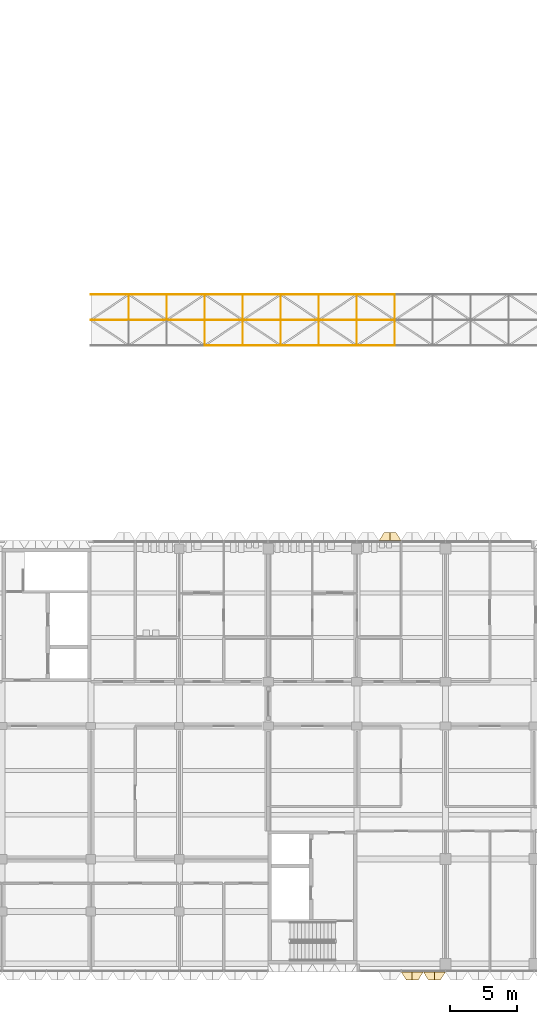
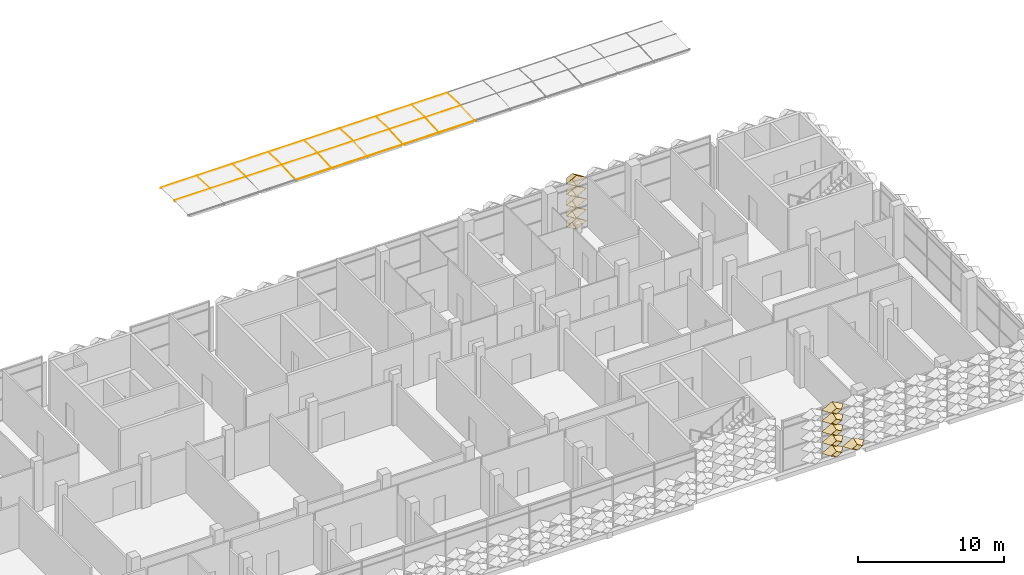
# One storey, part 48 of 61: 46 coverings.
"""IFC4 building model written with IfcOpenShell, lengths in metres."""

from ifc_helpers import new_model, entity, si_unit, direction, frame, origin, origin_2d, place, context, subcontext, project, spatial, rectangle, extrude, material, layer, layer_set, material_profile, profile_set, type_object, element, save


model = new_model("IFC4")

# Units and contexts
model_context = context("Model", 3, precision=1e-05, world=origin(), true_north=direction((0.0, 1.0)))
body_context = subcontext(model_context, "Body", "Model", "MODEL_VIEW")
ifc_project = project(units=[si_unit("LENGTHUNIT", "METRE"), si_unit("AREAUNIT", "SQUARE_METRE"), si_unit("VOLUMEUNIT", "CUBIC_METRE"), si_unit("PLANEANGLEUNIT", "RADIAN"), si_unit("MASSUNIT", "GRAM", prefix="KILO")], contexts=[model_context])

# Site, building, storey
site_placement = place(None, origin())
site = spatial("IfcSite", under=ifc_project, at=site_placement, CompositionType="ELEMENT")
building_placement = place(site_placement, origin())
building = spatial("IfcBuilding", under=site, at=building_placement, Name="Lantern Court Research Institute", CompositionType="ELEMENT")
storey_placement = place(building_placement, frame((0.0, 0.0, 23.39990234375)))
storey = spatial("IfcBuildingStorey", under=building, at=storey_placement, Name="L05", CompositionType="ELEMENT", Elevation=23.39990234375)

# Coverings
ifc_material_1 = material(Name="Anodised aluminium", Category="aluminium")
ifc_layer = layer(ifc_material_1, 0.01611328125)
ifc_layer_set = layer_set([ifc_layer], Name="Anodised aluminium")
covering_type_1 = type_object("IfcCoveringType", Name="Fin cassette 1650 x 900 x 600 aluminium", PredefinedType="CLADDING", material=ifc_layer_set)
covering_1_placement = place(storey_placement, frame((61.875, 23.699951171875, 0.4501953125), z_axis=(0.0, 1.0, 0.0), x_axis=(-1.0, 0.0, 0.0)))
cartesian_point_1 = entity("IfcCartesianPoint", [0.824951171875, 0.0])
cartesian_point_2 = entity("IfcCartesianPoint", [0.79150390625, 0.0])
cartesian_point_3 = entity("IfcCartesianPoint", [0.44189453125, 0.0])
cartesian_point_4 = entity("IfcCartesianPoint", [0.43359375, 0.0])
element("IfcCovering", 1, at=covering_1_placement, inside=storey, type_object=covering_type_1, Name="Fin cassette V5N-L05 1.38", PredefinedType="CLADDING", context=body_context, shape_type="SweptSolid", body=[
    entity("IfcExtrudedAreaSolidTapered", entity("IfcArbitraryProfileDefWithVoids", "AREA", None, entity("IfcPolyline", [cartesian_point_1, entity("IfcCartesianPoint", [0.0, 0.449951171875]), entity("IfcCartesianPoint", [-0.824951171875, 0.0]), entity("IfcCartesianPoint", [0.0, -0.449951171875]), cartesian_point_1]), [entity("IfcPolyline", [cartesian_point_2, entity("IfcCartesianPoint", [0.0, 0.431884765625]), entity("IfcCartesianPoint", [-0.79150390625, 0.0]), entity("IfcCartesianPoint", [0.0, -0.431884765625]), cartesian_point_2])]), entity("IfcAxis2Placement3D", entity("IfcCartesianPoint", [0.0, 0.0, 0.0])), entity("IfcDirection", [0.0, 0.0, 1.0]), 0.60009765625, entity("IfcArbitraryProfileDefWithVoids", "AREA", None, entity("IfcPolyline", [cartesian_point_3, entity("IfcCartesianPoint", [0.0, 0.240966796875]), entity("IfcCartesianPoint", [-0.44189453125, 0.0]), entity("IfcCartesianPoint", [0.0, -0.240966796875]), cartesian_point_3]), [entity("IfcPolyline", [cartesian_point_4, entity("IfcCartesianPoint", [0.0, 0.236572265625]), entity("IfcCartesianPoint", [-0.43359375, 0.0]), entity("IfcCartesianPoint", [0.0, -0.236572265625]), cartesian_point_4])])),
])
covering_2_placement = place(storey_placement, frame((61.875, 23.699951171875, 1.35009765625), z_axis=(0.0, 1.0, 0.0), x_axis=(-1.0, 0.0, 0.0)))
cartesian_point_5 = entity("IfcCartesianPoint", [0.824951171875, 0.0])
cartesian_point_6 = entity("IfcCartesianPoint", [0.79150390625, 0.0])
cartesian_point_7 = entity("IfcCartesianPoint", [0.44189453125, 0.0])
cartesian_point_8 = entity("IfcCartesianPoint", [0.43359375, 0.0])
element("IfcCovering", 2, at=covering_2_placement, inside=storey, type_object=covering_type_1, Name="Fin cassette V5N-L05 2.38", PredefinedType="CLADDING", context=body_context, shape_type="SweptSolid", body=[
    entity("IfcExtrudedAreaSolidTapered", entity("IfcArbitraryProfileDefWithVoids", "AREA", None, entity("IfcPolyline", [cartesian_point_5, entity("IfcCartesianPoint", [0.0, 0.449951171875]), entity("IfcCartesianPoint", [-0.824951171875, 0.0]), entity("IfcCartesianPoint", [0.0, -0.449951171875]), cartesian_point_5]), [entity("IfcPolyline", [cartesian_point_6, entity("IfcCartesianPoint", [0.0, 0.431884765625]), entity("IfcCartesianPoint", [-0.79150390625, 0.0]), entity("IfcCartesianPoint", [0.0, -0.431884765625]), cartesian_point_6])]), entity("IfcAxis2Placement3D", entity("IfcCartesianPoint", [0.0, 0.0, 0.0])), entity("IfcDirection", [0.0, 0.0, 1.0]), 0.60009765625, entity("IfcArbitraryProfileDefWithVoids", "AREA", None, entity("IfcPolyline", [cartesian_point_7, entity("IfcCartesianPoint", [0.0, 0.240966796875]), entity("IfcCartesianPoint", [-0.44189453125, 0.0]), entity("IfcCartesianPoint", [0.0, -0.240966796875]), cartesian_point_7]), [entity("IfcPolyline", [cartesian_point_8, entity("IfcCartesianPoint", [0.0, 0.236572265625]), entity("IfcCartesianPoint", [-0.43359375, 0.0]), entity("IfcCartesianPoint", [0.0, -0.236572265625]), cartesian_point_8])])),
])
covering_3_placement = place(storey_placement, frame((61.875, 23.699951171875, 2.25), z_axis=(0.0, 1.0, 0.0), x_axis=(-1.0, 0.0, 0.0)))
cartesian_point_9 = entity("IfcCartesianPoint", [0.824951171875, 0.0])
cartesian_point_10 = entity("IfcCartesianPoint", [0.79150390625, 0.0])
cartesian_point_11 = entity("IfcCartesianPoint", [0.44189453125, 0.0])
cartesian_point_12 = entity("IfcCartesianPoint", [0.43359375, 0.0])
element("IfcCovering", 3, at=covering_3_placement, inside=storey, type_object=covering_type_1, Name="Fin cassette V5N-L05 3.38", PredefinedType="CLADDING", context=body_context, shape_type="SweptSolid", body=[
    entity("IfcExtrudedAreaSolidTapered", entity("IfcArbitraryProfileDefWithVoids", "AREA", None, entity("IfcPolyline", [cartesian_point_9, entity("IfcCartesianPoint", [0.0, 0.449951171875]), entity("IfcCartesianPoint", [-0.824951171875, 0.0]), entity("IfcCartesianPoint", [0.0, -0.449951171875]), cartesian_point_9]), [entity("IfcPolyline", [cartesian_point_10, entity("IfcCartesianPoint", [0.0, 0.431884765625]), entity("IfcCartesianPoint", [-0.79150390625, 0.0]), entity("IfcCartesianPoint", [0.0, -0.431884765625]), cartesian_point_10])]), entity("IfcAxis2Placement3D", entity("IfcCartesianPoint", [0.0, 0.0, 0.0])), entity("IfcDirection", [0.0, 0.0, 1.0]), 0.60009765625, entity("IfcArbitraryProfileDefWithVoids", "AREA", None, entity("IfcPolyline", [cartesian_point_11, entity("IfcCartesianPoint", [0.0, 0.240966796875]), entity("IfcCartesianPoint", [-0.44189453125, 0.0]), entity("IfcCartesianPoint", [0.0, -0.240966796875]), cartesian_point_11]), [entity("IfcPolyline", [cartesian_point_12, entity("IfcCartesianPoint", [0.0, 0.236572265625]), entity("IfcCartesianPoint", [-0.43359375, 0.0]), entity("IfcCartesianPoint", [0.0, -0.236572265625]), cartesian_point_12])])),
])
covering_4_placement = place(storey_placement, frame((61.875, 23.699951171875, 3.150146484375), z_axis=(0.0, 1.0, 0.0), x_axis=(-1.0, 0.0, 0.0)))
cartesian_point_13 = entity("IfcCartesianPoint", [0.824951171875, 0.0])
cartesian_point_14 = entity("IfcCartesianPoint", [0.79150390625, 0.0])
cartesian_point_15 = entity("IfcCartesianPoint", [0.44189453125, 0.0])
cartesian_point_16 = entity("IfcCartesianPoint", [0.43359375, 0.0])
element("IfcCovering", 4, at=covering_4_placement, inside=storey, type_object=covering_type_1, Name="Fin cassette V5N-L05 4.38", PredefinedType="CLADDING", context=body_context, shape_type="SweptSolid", body=[
    entity("IfcExtrudedAreaSolidTapered", entity("IfcArbitraryProfileDefWithVoids", "AREA", None, entity("IfcPolyline", [cartesian_point_13, entity("IfcCartesianPoint", [0.0, 0.449951171875]), entity("IfcCartesianPoint", [-0.824951171875, 0.0]), entity("IfcCartesianPoint", [0.0, -0.449951171875]), cartesian_point_13]), [entity("IfcPolyline", [cartesian_point_14, entity("IfcCartesianPoint", [0.0, 0.431884765625]), entity("IfcCartesianPoint", [-0.79150390625, 0.0]), entity("IfcCartesianPoint", [0.0, -0.431884765625]), cartesian_point_14])]), entity("IfcAxis2Placement3D", entity("IfcCartesianPoint", [0.0, 0.0, 0.0])), entity("IfcDirection", [0.0, 0.0, 1.0]), 0.60009765625, entity("IfcArbitraryProfileDefWithVoids", "AREA", None, entity("IfcPolyline", [cartesian_point_15, entity("IfcCartesianPoint", [0.0, 0.240966796875]), entity("IfcCartesianPoint", [-0.44189453125, 0.0]), entity("IfcCartesianPoint", [0.0, -0.240966796875]), cartesian_point_15]), [entity("IfcPolyline", [cartesian_point_16, entity("IfcCartesianPoint", [0.0, 0.236572265625]), entity("IfcCartesianPoint", [-0.43359375, 0.0]), entity("IfcCartesianPoint", [0.0, -0.236572265625]), cartesian_point_16])])),
])
covering_5_placement = place(storey_placement, frame((61.875, 23.699951171875, 4.050048828125), z_axis=(0.0, 1.0, 0.0), x_axis=(-1.0, 0.0, 0.0)))
cartesian_point_17 = entity("IfcCartesianPoint", [0.824951171875, 0.0])
cartesian_point_18 = entity("IfcCartesianPoint", [0.79150390625, 0.0])
cartesian_point_19 = entity("IfcCartesianPoint", [0.44189453125, 0.0])
cartesian_point_20 = entity("IfcCartesianPoint", [0.43359375, 0.0])
element("IfcCovering", 5, at=covering_5_placement, inside=storey, type_object=covering_type_1, Name="Fin cassette V5N-L05 5.38", PredefinedType="CLADDING", context=body_context, shape_type="SweptSolid", body=[
    entity("IfcExtrudedAreaSolidTapered", entity("IfcArbitraryProfileDefWithVoids", "AREA", None, entity("IfcPolyline", [cartesian_point_17, entity("IfcCartesianPoint", [0.0, 0.449951171875]), entity("IfcCartesianPoint", [-0.824951171875, 0.0]), entity("IfcCartesianPoint", [0.0, -0.449951171875]), cartesian_point_17]), [entity("IfcPolyline", [cartesian_point_18, entity("IfcCartesianPoint", [0.0, 0.431884765625]), entity("IfcCartesianPoint", [-0.79150390625, 0.0]), entity("IfcCartesianPoint", [0.0, -0.431884765625]), cartesian_point_18])]), entity("IfcAxis2Placement3D", entity("IfcCartesianPoint", [0.0, 0.0, 0.0])), entity("IfcDirection", [0.0, 0.0, 1.0]), 0.60009765625, entity("IfcArbitraryProfileDefWithVoids", "AREA", None, entity("IfcPolyline", [cartesian_point_19, entity("IfcCartesianPoint", [0.0, 0.240966796875]), entity("IfcCartesianPoint", [-0.44189453125, 0.0]), entity("IfcCartesianPoint", [0.0, -0.240966796875]), cartesian_point_19]), [entity("IfcPolyline", [cartesian_point_20, entity("IfcCartesianPoint", [0.0, 0.236572265625]), entity("IfcCartesianPoint", [-0.43359375, 0.0]), entity("IfcCartesianPoint", [0.0, -0.236572265625]), cartesian_point_20])])),
])
covering_6_placement = place(storey_placement, frame((63.52490234375, -8.39990234375, 0.4501953125), z_axis=(0.0, -1.0, 0.0), x_axis=(1.0, 0.0, 0.0)))
cartesian_point_21 = entity("IfcCartesianPoint", [0.824951171875, 0.0])
cartesian_point_22 = entity("IfcCartesianPoint", [0.79150390625, 0.0])
cartesian_point_23 = entity("IfcCartesianPoint", [0.44189453125, 0.0])
cartesian_point_24 = entity("IfcCartesianPoint", [0.43359375, 0.0])
element("IfcCovering", 6, at=covering_6_placement, inside=storey, type_object=covering_type_1, Name="Fin cassette V5S-L05 1.39", PredefinedType="CLADDING", context=body_context, shape_type="SweptSolid", body=[
    entity("IfcExtrudedAreaSolidTapered", entity("IfcArbitraryProfileDefWithVoids", "AREA", None, entity("IfcPolyline", [cartesian_point_21, entity("IfcCartesianPoint", [0.0, 0.449951171875]), entity("IfcCartesianPoint", [-0.824951171875, 0.0]), entity("IfcCartesianPoint", [0.0, -0.449951171875]), cartesian_point_21]), [entity("IfcPolyline", [cartesian_point_22, entity("IfcCartesianPoint", [0.0, 0.431884765625]), entity("IfcCartesianPoint", [-0.79150390625, 0.0]), entity("IfcCartesianPoint", [0.0, -0.431884765625]), cartesian_point_22])]), entity("IfcAxis2Placement3D", entity("IfcCartesianPoint", [0.0, 0.0, 0.0])), entity("IfcDirection", [0.0, 0.0, 1.0]), 0.60009765625, entity("IfcArbitraryProfileDefWithVoids", "AREA", None, entity("IfcPolyline", [cartesian_point_23, entity("IfcCartesianPoint", [0.0, 0.240966796875]), entity("IfcCartesianPoint", [-0.44189453125, 0.0]), entity("IfcCartesianPoint", [0.0, -0.240966796875]), cartesian_point_23]), [entity("IfcPolyline", [cartesian_point_24, entity("IfcCartesianPoint", [0.0, 0.236572265625]), entity("IfcCartesianPoint", [-0.43359375, 0.0]), entity("IfcCartesianPoint", [0.0, -0.236572265625]), cartesian_point_24])])),
])
covering_7_placement = place(storey_placement, frame((65.175048828125, -8.39990234375, 0.4501953125), z_axis=(0.0, -1.0, 0.0), x_axis=(1.0, 0.0, 0.0)))
cartesian_point_25 = entity("IfcCartesianPoint", [0.824951171875, 0.0])
cartesian_point_26 = entity("IfcCartesianPoint", [0.79150390625, 0.0])
cartesian_point_27 = entity("IfcCartesianPoint", [0.44189453125, 0.0])
cartesian_point_28 = entity("IfcCartesianPoint", [0.43359375, 0.0])
element("IfcCovering", 7, at=covering_7_placement, inside=storey, type_object=covering_type_1, Name="Fin cassette V5S-L05 1.40", PredefinedType="CLADDING", context=body_context, shape_type="SweptSolid", body=[
    entity("IfcExtrudedAreaSolidTapered", entity("IfcArbitraryProfileDefWithVoids", "AREA", None, entity("IfcPolyline", [cartesian_point_25, entity("IfcCartesianPoint", [0.0, 0.449951171875]), entity("IfcCartesianPoint", [-0.824951171875, 0.0]), entity("IfcCartesianPoint", [0.0, -0.449951171875]), cartesian_point_25]), [entity("IfcPolyline", [cartesian_point_26, entity("IfcCartesianPoint", [0.0, 0.431884765625]), entity("IfcCartesianPoint", [-0.79150390625, 0.0]), entity("IfcCartesianPoint", [0.0, -0.431884765625]), cartesian_point_26])]), entity("IfcAxis2Placement3D", entity("IfcCartesianPoint", [0.0, 0.0, 0.0])), entity("IfcDirection", [0.0, 0.0, 1.0]), 0.60009765625, entity("IfcArbitraryProfileDefWithVoids", "AREA", None, entity("IfcPolyline", [cartesian_point_27, entity("IfcCartesianPoint", [0.0, 0.240966796875]), entity("IfcCartesianPoint", [-0.44189453125, 0.0]), entity("IfcCartesianPoint", [0.0, -0.240966796875]), cartesian_point_27]), [entity("IfcPolyline", [cartesian_point_28, entity("IfcCartesianPoint", [0.0, 0.236572265625]), entity("IfcCartesianPoint", [-0.43359375, 0.0]), entity("IfcCartesianPoint", [0.0, -0.236572265625]), cartesian_point_28])])),
])
covering_8_placement = place(storey_placement, frame((63.52490234375, -8.39990234375, 1.35009765625), z_axis=(0.0, -1.0, 0.0), x_axis=(1.0, 0.0, 0.0)))
cartesian_point_29 = entity("IfcCartesianPoint", [0.824951171875, 0.0])
cartesian_point_30 = entity("IfcCartesianPoint", [0.79150390625, 0.0])
cartesian_point_31 = entity("IfcCartesianPoint", [0.44189453125, 0.0])
cartesian_point_32 = entity("IfcCartesianPoint", [0.43359375, 0.0])
element("IfcCovering", 8, at=covering_8_placement, inside=storey, type_object=covering_type_1, Name="Fin cassette V5S-L05 2.39", PredefinedType="CLADDING", context=body_context, shape_type="SweptSolid", body=[
    entity("IfcExtrudedAreaSolidTapered", entity("IfcArbitraryProfileDefWithVoids", "AREA", None, entity("IfcPolyline", [cartesian_point_29, entity("IfcCartesianPoint", [0.0, 0.449951171875]), entity("IfcCartesianPoint", [-0.824951171875, 0.0]), entity("IfcCartesianPoint", [0.0, -0.449951171875]), cartesian_point_29]), [entity("IfcPolyline", [cartesian_point_30, entity("IfcCartesianPoint", [0.0, 0.431884765625]), entity("IfcCartesianPoint", [-0.79150390625, 0.0]), entity("IfcCartesianPoint", [0.0, -0.431884765625]), cartesian_point_30])]), entity("IfcAxis2Placement3D", entity("IfcCartesianPoint", [0.0, 0.0, 0.0])), entity("IfcDirection", [0.0, 0.0, 1.0]), 0.60009765625, entity("IfcArbitraryProfileDefWithVoids", "AREA", None, entity("IfcPolyline", [cartesian_point_31, entity("IfcCartesianPoint", [0.0, 0.240966796875]), entity("IfcCartesianPoint", [-0.44189453125, 0.0]), entity("IfcCartesianPoint", [0.0, -0.240966796875]), cartesian_point_31]), [entity("IfcPolyline", [cartesian_point_32, entity("IfcCartesianPoint", [0.0, 0.236572265625]), entity("IfcCartesianPoint", [-0.43359375, 0.0]), entity("IfcCartesianPoint", [0.0, -0.236572265625]), cartesian_point_32])])),
])
covering_9_placement = place(storey_placement, frame((63.52490234375, -8.39990234375, 2.25), z_axis=(0.0, -1.0, 0.0), x_axis=(1.0, 0.0, 0.0)))
cartesian_point_33 = entity("IfcCartesianPoint", [0.824951171875, 0.0])
cartesian_point_34 = entity("IfcCartesianPoint", [0.79150390625, 0.0])
cartesian_point_35 = entity("IfcCartesianPoint", [0.44189453125, 0.0])
cartesian_point_36 = entity("IfcCartesianPoint", [0.43359375, 0.0])
element("IfcCovering", 9, at=covering_9_placement, inside=storey, type_object=covering_type_1, Name="Fin cassette V5S-L05 3.39", PredefinedType="CLADDING", context=body_context, shape_type="SweptSolid", body=[
    entity("IfcExtrudedAreaSolidTapered", entity("IfcArbitraryProfileDefWithVoids", "AREA", None, entity("IfcPolyline", [cartesian_point_33, entity("IfcCartesianPoint", [0.0, 0.449951171875]), entity("IfcCartesianPoint", [-0.824951171875, 0.0]), entity("IfcCartesianPoint", [0.0, -0.449951171875]), cartesian_point_33]), [entity("IfcPolyline", [cartesian_point_34, entity("IfcCartesianPoint", [0.0, 0.431884765625]), entity("IfcCartesianPoint", [-0.79150390625, 0.0]), entity("IfcCartesianPoint", [0.0, -0.431884765625]), cartesian_point_34])]), entity("IfcAxis2Placement3D", entity("IfcCartesianPoint", [0.0, 0.0, 0.0])), entity("IfcDirection", [0.0, 0.0, 1.0]), 0.60009765625, entity("IfcArbitraryProfileDefWithVoids", "AREA", None, entity("IfcPolyline", [cartesian_point_35, entity("IfcCartesianPoint", [0.0, 0.240966796875]), entity("IfcCartesianPoint", [-0.44189453125, 0.0]), entity("IfcCartesianPoint", [0.0, -0.240966796875]), cartesian_point_35]), [entity("IfcPolyline", [cartesian_point_36, entity("IfcCartesianPoint", [0.0, 0.236572265625]), entity("IfcCartesianPoint", [-0.43359375, 0.0]), entity("IfcCartesianPoint", [0.0, -0.236572265625]), cartesian_point_36])])),
])
covering_10_placement = place(storey_placement, frame((63.52490234375, -8.39990234375, 3.150146484375), z_axis=(0.0, -1.0, 0.0), x_axis=(1.0, 0.0, 0.0)))
cartesian_point_37 = entity("IfcCartesianPoint", [0.824951171875, 0.0])
cartesian_point_38 = entity("IfcCartesianPoint", [0.79150390625, 0.0])
cartesian_point_39 = entity("IfcCartesianPoint", [0.44189453125, 0.0])
cartesian_point_40 = entity("IfcCartesianPoint", [0.43359375, 0.0])
element("IfcCovering", 10, at=covering_10_placement, inside=storey, type_object=covering_type_1, Name="Fin cassette V5S-L05 4.39", PredefinedType="CLADDING", context=body_context, shape_type="SweptSolid", body=[
    entity("IfcExtrudedAreaSolidTapered", entity("IfcArbitraryProfileDefWithVoids", "AREA", None, entity("IfcPolyline", [cartesian_point_37, entity("IfcCartesianPoint", [0.0, 0.449951171875]), entity("IfcCartesianPoint", [-0.824951171875, 0.0]), entity("IfcCartesianPoint", [0.0, -0.449951171875]), cartesian_point_37]), [entity("IfcPolyline", [cartesian_point_38, entity("IfcCartesianPoint", [0.0, 0.431884765625]), entity("IfcCartesianPoint", [-0.79150390625, 0.0]), entity("IfcCartesianPoint", [0.0, -0.431884765625]), cartesian_point_38])]), entity("IfcAxis2Placement3D", entity("IfcCartesianPoint", [0.0, 0.0, 0.0])), entity("IfcDirection", [0.0, 0.0, 1.0]), 0.60009765625, entity("IfcArbitraryProfileDefWithVoids", "AREA", None, entity("IfcPolyline", [cartesian_point_39, entity("IfcCartesianPoint", [0.0, 0.240966796875]), entity("IfcCartesianPoint", [-0.44189453125, 0.0]), entity("IfcCartesianPoint", [0.0, -0.240966796875]), cartesian_point_39]), [entity("IfcPolyline", [cartesian_point_40, entity("IfcCartesianPoint", [0.0, 0.236572265625]), entity("IfcCartesianPoint", [-0.43359375, 0.0]), entity("IfcCartesianPoint", [0.0, -0.236572265625]), cartesian_point_40])])),
])
covering_11_placement = place(storey_placement, frame((63.52490234375, -8.39990234375, 4.050048828125), z_axis=(0.0, -1.0, 0.0), x_axis=(1.0, 0.0, 0.0)))
cartesian_point_41 = entity("IfcCartesianPoint", [0.824951171875, 0.0])
cartesian_point_42 = entity("IfcCartesianPoint", [0.79150390625, 0.0])
cartesian_point_43 = entity("IfcCartesianPoint", [0.44189453125, 0.0])
cartesian_point_44 = entity("IfcCartesianPoint", [0.43359375, 0.0])
element("IfcCovering", 11, at=covering_11_placement, inside=storey, type_object=covering_type_1, Name="Fin cassette V5S-L05 5.39", PredefinedType="CLADDING", context=body_context, shape_type="SweptSolid", body=[
    entity("IfcExtrudedAreaSolidTapered", entity("IfcArbitraryProfileDefWithVoids", "AREA", None, entity("IfcPolyline", [cartesian_point_41, entity("IfcCartesianPoint", [0.0, 0.449951171875]), entity("IfcCartesianPoint", [-0.824951171875, 0.0]), entity("IfcCartesianPoint", [0.0, -0.449951171875]), cartesian_point_41]), [entity("IfcPolyline", [cartesian_point_42, entity("IfcCartesianPoint", [0.0, 0.431884765625]), entity("IfcCartesianPoint", [-0.79150390625, 0.0]), entity("IfcCartesianPoint", [0.0, -0.431884765625]), cartesian_point_42])]), entity("IfcAxis2Placement3D", entity("IfcCartesianPoint", [0.0, 0.0, 0.0])), entity("IfcDirection", [0.0, 0.0, 1.0]), 0.60009765625, entity("IfcArbitraryProfileDefWithVoids", "AREA", None, entity("IfcPolyline", [cartesian_point_43, entity("IfcCartesianPoint", [0.0, 0.240966796875]), entity("IfcCartesianPoint", [-0.44189453125, 0.0]), entity("IfcCartesianPoint", [0.0, -0.240966796875]), cartesian_point_43]), [entity("IfcPolyline", [cartesian_point_44, entity("IfcCartesianPoint", [0.0, 0.236572265625]), entity("IfcCartesianPoint", [-0.43359375, 0.0]), entity("IfcCartesianPoint", [0.0, -0.236572265625]), cartesian_point_44])])),
])
ifc_material_2 = material(Name="Aluminium alloy 6063-T6", Category="aluminium")
ifc_material_profile = material_profile(ifc_material_2, rectangle(XDim=0.01806640625, YDim=0.035888671875, at=origin_2d()), Name="Joint cover bar 18 x 36")
ifc_profile_set = profile_set([ifc_material_profile], Name="Aluminium alloy 6063-T6")
covering_type_2 = type_object("IfcCoveringType", Name="Joint cover bar 18 x 36", PredefinedType="MOLDING", material=ifc_profile_set)
for number, where, z_axis, x_axis, name in (
    (12, (39.610107421875, 40.125, 0.218017578125), (1.0, 0.0, 0.0), (0.0, 1.0, 0.0), "Joint cover bar"),
    (13, (39.610107421875, 42.02685546875, 0.122314453125), (1.0, 0.0, 0.0), (0.0, 0.994933962664, -0.100530641789), "Joint cover bar"),
):
    element("IfcCovering", number, at=place(storey_placement, frame(where, z_axis=z_axis, x_axis=x_axis)), inside=storey, type_object=covering_type_2, Name=name, PredefinedType="MOLDING", context=body_context, shape_type="SweptSolid", body=[
        extrude(rectangle(XDim=0.01806640625, YDim=0.035888671875, at=origin_2d()), origin(), (0.0, 0.0, 1.0), 2.808349609375),
    ])
covering_12_placement = place(storey_placement, frame((42.428466796875, 40.1259765625, 0.218017578125), z_axis=(0.0, 0.998733707136, -0.050308868311), x_axis=(-1.0, 0.0, 0.0)))
element("IfcCovering", 14, at=covering_12_placement, inside=storey, type_object=covering_type_2, Name="Joint cover bar", PredefinedType="MOLDING", context=body_context, shape_type="SweptSolid", body=[
    extrude(rectangle(XDim=0.01806640625, YDim=0.035888671875, at=origin_2d()), origin(), (0.0, 0.0, 1.0), 1.90234375),
])
for number, where, z_axis, x_axis, name in (
    (15, (42.4384765625, 40.125, 0.218017578125), (1.0, 0.0, 0.0), (0.0, 1.0, 0.0), "Joint cover bar"),
    (16, (42.4384765625, 42.02685546875, 0.122314453125), (1.0, 0.0, 0.0), (0.0, 0.994933962664, -0.100530641789), "Joint cover bar"),
):
    element("IfcCovering", number, at=place(storey_placement, frame(where, z_axis=z_axis, x_axis=x_axis)), inside=storey, type_object=covering_type_2, Name=name, PredefinedType="MOLDING", context=body_context, shape_type="SweptSolid", body=[
        extrude(rectangle(XDim=0.01806640625, YDim=0.035888671875, at=origin_2d()), origin(), (0.0, 0.0, 1.0), 2.80859375),
    ])
covering_13_placement = place(storey_placement, frame((45.257080078125, 40.1259765625, 0.218017578125), z_axis=(0.0, 0.998733707136, -0.050308868311), x_axis=(-1.0, 0.0, 0.0)))
element("IfcCovering", 17, at=covering_13_placement, inside=storey, type_object=covering_type_2, Name="Joint cover bar", PredefinedType="MOLDING", context=body_context, shape_type="SweptSolid", body=[
    extrude(rectangle(XDim=0.01806640625, YDim=0.035888671875, at=origin_2d()), origin(), (0.0, 0.0, 1.0), 1.90234375),
])
for number, where, z_axis, x_axis, name in (
    (18, (45.26708984375, 40.125, 0.218017578125), (1.0, 0.0, 0.0), (0.0, 1.0, 0.0), "Joint cover bar"),
    (19, (45.26708984375, 42.02685546875, 0.122314453125), (1.0, 0.0, 0.0), (0.0, 0.994933962664, -0.100530641789), "Joint cover bar"),
):
    element("IfcCovering", number, at=place(storey_placement, frame(where, z_axis=z_axis, x_axis=x_axis)), inside=storey, type_object=covering_type_2, Name=name, PredefinedType="MOLDING", context=body_context, shape_type="SweptSolid", body=[
        extrude(rectangle(XDim=0.01806640625, YDim=0.035888671875, at=origin_2d()), origin(), (0.0, 0.0, 1.0), 2.80859375),
    ])
covering_14_placement = place(storey_placement, frame((48.085693359375, 38.22412109375, 0.122314453125), z_axis=(0.0, 0.998733707136, 0.050308868311), x_axis=(-1.0, 0.0, 0.0)))
element("IfcCovering", 20, at=covering_14_placement, inside=storey, type_object=covering_type_2, Name="Joint cover bar", PredefinedType="MOLDING", context=body_context, shape_type="SweptSolid", body=[
    extrude(rectangle(XDim=0.01806640625, YDim=0.035888671875, at=origin_2d()), origin(), (0.0, 0.0, 1.0), 1.90234375),
])
covering_15_placement = place(storey_placement, frame((48.095703125, 38.22314453125, 0.122314453125), z_axis=(1.0, 0.0, 0.0), x_axis=(0.0, 0.994933962664, 0.100530641789)))
element("IfcCovering", 21, at=covering_15_placement, inside=storey, type_object=covering_type_2, Name="Joint cover bar", PredefinedType="MOLDING", context=body_context, shape_type="SweptSolid", body=[
    extrude(rectangle(XDim=0.01806640625, YDim=0.035888671875, at=origin_2d()), origin(), (0.0, 0.0, 1.0), 2.80859375),
])
covering_16_placement = place(storey_placement, frame((48.085693359375, 40.1259765625, 0.218017578125), z_axis=(0.0, 0.998733707136, -0.050308868311), x_axis=(-1.0, 0.0, 0.0)))
element("IfcCovering", 22, at=covering_16_placement, inside=storey, type_object=covering_type_2, Name="Joint cover bar", PredefinedType="MOLDING", context=body_context, shape_type="SweptSolid", body=[
    extrude(rectangle(XDim=0.01806640625, YDim=0.035888671875, at=origin_2d()), origin(), (0.0, 0.0, 1.0), 1.90234375),
])
for number, where, z_axis, x_axis, name in (
    (23, (48.095703125, 40.125, 0.218017578125), (1.0, 0.0, 0.0), (0.0, 1.0, 0.0), "Joint cover bar"),
    (24, (48.095703125, 42.02685546875, 0.122314453125), (1.0, 0.0, 0.0), (0.0, 0.994933962664, -0.100530641789), "Joint cover bar"),
):
    element("IfcCovering", number, at=place(storey_placement, frame(where, z_axis=z_axis, x_axis=x_axis)), inside=storey, type_object=covering_type_2, Name=name, PredefinedType="MOLDING", context=body_context, shape_type="SweptSolid", body=[
        extrude(rectangle(XDim=0.01806640625, YDim=0.035888671875, at=origin_2d()), origin(), (0.0, 0.0, 1.0), 2.80859375),
    ])
covering_17_placement = place(storey_placement, frame((50.914306640625, 38.22412109375, 0.122314453125), z_axis=(0.0, 0.998733707136, 0.050308868311), x_axis=(-1.0, 0.0, 0.0)))
element("IfcCovering", 25, at=covering_17_placement, inside=storey, type_object=covering_type_2, Name="Joint cover bar", PredefinedType="MOLDING", context=body_context, shape_type="SweptSolid", body=[
    extrude(rectangle(XDim=0.01806640625, YDim=0.035888671875, at=origin_2d()), origin(), (0.0, 0.0, 1.0), 1.90234375),
])
covering_18_placement = place(storey_placement, frame((50.92431640625, 38.22314453125, 0.122314453125), z_axis=(1.0, 0.0, 0.0), x_axis=(0.0, 0.994933962664, 0.100530641789)))
element("IfcCovering", 26, at=covering_18_placement, inside=storey, type_object=covering_type_2, Name="Joint cover bar", PredefinedType="MOLDING", context=body_context, shape_type="SweptSolid", body=[
    extrude(rectangle(XDim=0.01806640625, YDim=0.035888671875, at=origin_2d()), origin(), (0.0, 0.0, 1.0), 2.80859375),
])
covering_19_placement = place(storey_placement, frame((50.914306640625, 40.1259765625, 0.218017578125), z_axis=(0.0, 0.998733707136, -0.050308868311), x_axis=(-1.0, 0.0, 0.0)))
element("IfcCovering", 27, at=covering_19_placement, inside=storey, type_object=covering_type_2, Name="Joint cover bar", PredefinedType="MOLDING", context=body_context, shape_type="SweptSolid", body=[
    extrude(rectangle(XDim=0.01806640625, YDim=0.035888671875, at=origin_2d()), origin(), (0.0, 0.0, 1.0), 1.90234375),
])
for number, where, z_axis, x_axis, name in (
    (28, (50.92431640625, 40.125, 0.218017578125), (1.0, 0.0, 0.0), (0.0, 1.0, 0.0), "Joint cover bar"),
    (29, (50.92431640625, 42.02685546875, 0.122314453125), (1.0, 0.0, 0.0), (0.0, 0.994933962664, -0.100530641789), "Joint cover bar"),
):
    element("IfcCovering", number, at=place(storey_placement, frame(where, z_axis=z_axis, x_axis=x_axis)), inside=storey, type_object=covering_type_2, Name=name, PredefinedType="MOLDING", context=body_context, shape_type="SweptSolid", body=[
        extrude(rectangle(XDim=0.01806640625, YDim=0.035888671875, at=origin_2d()), origin(), (0.0, 0.0, 1.0), 2.80859375),
    ])
covering_20_placement = place(storey_placement, frame((53.742919921875, 38.22412109375, 0.122314453125), z_axis=(0.0, 0.998733707136, 0.050308868311), x_axis=(-1.0, 0.0, 0.0)))
element("IfcCovering", 30, at=covering_20_placement, inside=storey, type_object=covering_type_2, Name="Joint cover bar", PredefinedType="MOLDING", context=body_context, shape_type="SweptSolid", body=[
    extrude(rectangle(XDim=0.01806640625, YDim=0.035888671875, at=origin_2d()), origin(), (0.0, 0.0, 1.0), 1.90234375),
])
covering_21_placement = place(storey_placement, frame((53.7529296875, 38.22314453125, 0.122314453125), z_axis=(1.0, 0.0, 0.0), x_axis=(0.0, 0.994933962664, 0.100530641789)))
element("IfcCovering", 31, at=covering_21_placement, inside=storey, type_object=covering_type_2, Name="Joint cover bar", PredefinedType="MOLDING", context=body_context, shape_type="SweptSolid", body=[
    extrude(rectangle(XDim=0.01806640625, YDim=0.035888671875, at=origin_2d()), origin(), (0.0, 0.0, 1.0), 2.80859375),
])
covering_22_placement = place(storey_placement, frame((53.742919921875, 40.1259765625, 0.218017578125), z_axis=(0.0, 0.998733707136, -0.050308868311), x_axis=(-1.0, 0.0, 0.0)))
element("IfcCovering", 32, at=covering_22_placement, inside=storey, type_object=covering_type_2, Name="Joint cover bar", PredefinedType="MOLDING", context=body_context, shape_type="SweptSolid", body=[
    extrude(rectangle(XDim=0.01806640625, YDim=0.035888671875, at=origin_2d()), origin(), (0.0, 0.0, 1.0), 1.90234375),
])
for number, where, z_axis, x_axis, name in (
    (33, (53.7529296875, 40.125, 0.218017578125), (1.0, 0.0, 0.0), (0.0, 1.0, 0.0), "Joint cover bar"),
    (34, (53.7529296875, 42.02685546875, 0.122314453125), (1.0, 0.0, 0.0), (0.0, 0.994933962664, -0.100530641789), "Joint cover bar"),
):
    element("IfcCovering", number, at=place(storey_placement, frame(where, z_axis=z_axis, x_axis=x_axis)), inside=storey, type_object=covering_type_2, Name=name, PredefinedType="MOLDING", context=body_context, shape_type="SweptSolid", body=[
        extrude(rectangle(XDim=0.01806640625, YDim=0.035888671875, at=origin_2d()), origin(), (0.0, 0.0, 1.0), 2.80859375),
    ])
covering_23_placement = place(storey_placement, frame((56.571533203125, 38.22412109375, 0.122314453125), z_axis=(0.0, 0.998733707136, 0.050308868311), x_axis=(-1.0, 0.0, 0.0)))
element("IfcCovering", 35, at=covering_23_placement, inside=storey, type_object=covering_type_2, Name="Joint cover bar", PredefinedType="MOLDING", context=body_context, shape_type="SweptSolid", body=[
    extrude(rectangle(XDim=0.01806640625, YDim=0.035888671875, at=origin_2d()), origin(), (0.0, 0.0, 1.0), 1.90234375),
])
covering_24_placement = place(storey_placement, frame((56.58154296875, 38.22314453125, 0.122314453125), z_axis=(1.0, 0.0, 0.0), x_axis=(0.0, 0.994933962664, 0.100530641789)))
element("IfcCovering", 36, at=covering_24_placement, inside=storey, type_object=covering_type_2, Name="Joint cover bar", PredefinedType="MOLDING", context=body_context, shape_type="SweptSolid", body=[
    extrude(rectangle(XDim=0.01806640625, YDim=0.035888671875, at=origin_2d()), origin(), (0.0, 0.0, 1.0), 2.808349609375),
])
covering_25_placement = place(storey_placement, frame((56.571533203125, 40.1259765625, 0.218017578125), z_axis=(0.0, 0.998733707136, -0.050308868311), x_axis=(-1.0, 0.0, 0.0)))
element("IfcCovering", 37, at=covering_25_placement, inside=storey, type_object=covering_type_2, Name="Joint cover bar", PredefinedType="MOLDING", context=body_context, shape_type="SweptSolid", body=[
    extrude(rectangle(XDim=0.01806640625, YDim=0.035888671875, at=origin_2d()), origin(), (0.0, 0.0, 1.0), 1.90234375),
])
for number, where, z_axis, x_axis, name in (
    (38, (56.58154296875, 40.125, 0.218017578125), (1.0, 0.0, 0.0), (0.0, 1.0, 0.0), "Joint cover bar"),
    (39, (56.58154296875, 42.02685546875, 0.122314453125), (1.0, 0.0, 0.0), (0.0, 0.994933962664, -0.100530641789), "Joint cover bar"),
):
    element("IfcCovering", number, at=place(storey_placement, frame(where, z_axis=z_axis, x_axis=x_axis)), inside=storey, type_object=covering_type_2, Name=name, PredefinedType="MOLDING", context=body_context, shape_type="SweptSolid", body=[
        extrude(rectangle(XDim=0.01806640625, YDim=0.035888671875, at=origin_2d()), origin(), (0.0, 0.0, 1.0), 2.808349609375),
    ])
covering_26_placement = place(storey_placement, frame((59.39990234375, 38.22412109375, 0.122314453125), z_axis=(0.0, 0.998733707136, 0.050308868311), x_axis=(-1.0, 0.0, 0.0)))
element("IfcCovering", 40, at=covering_26_placement, inside=storey, type_object=covering_type_2, Name="Joint cover bar", PredefinedType="MOLDING", context=body_context, shape_type="SweptSolid", body=[
    extrude(rectangle(XDim=0.01806640625, YDim=0.035888671875, at=origin_2d()), origin(), (0.0, 0.0, 1.0), 1.90234375),
])
covering_27_placement = place(storey_placement, frame((59.409912109375, 38.22314453125, 0.122314453125), z_axis=(1.0, 0.0, 0.0), x_axis=(0.0, 0.994933962664, 0.100530641789)))
element("IfcCovering", 41, at=covering_27_placement, inside=storey, type_object=covering_type_2, Name="Joint cover bar", PredefinedType="MOLDING", context=body_context, shape_type="SweptSolid", body=[
    extrude(rectangle(XDim=0.01806640625, YDim=0.035888671875, at=origin_2d()), origin(), (0.0, 0.0, 1.0), 2.80859375),
])
covering_28_placement = place(storey_placement, frame((59.39990234375, 40.1259765625, 0.218017578125), z_axis=(0.0, 0.998733707136, -0.050308868311), x_axis=(-1.0, 0.0, 0.0)))
element("IfcCovering", 42, at=covering_28_placement, inside=storey, type_object=covering_type_2, Name="Joint cover bar", PredefinedType="MOLDING", context=body_context, shape_type="SweptSolid", body=[
    extrude(rectangle(XDim=0.01806640625, YDim=0.035888671875, at=origin_2d()), origin(), (0.0, 0.0, 1.0), 1.90234375),
])
for number, where, z_axis, x_axis, name in (
    (43, (59.409912109375, 40.125, 0.218017578125), (1.0, 0.0, 0.0), (0.0, 1.0, 0.0), "Joint cover bar"),
    (44, (59.409912109375, 42.02685546875, 0.122314453125), (1.0, 0.0, 0.0), (0.0, 0.994933962664, -0.100530641789), "Joint cover bar"),
):
    element("IfcCovering", number, at=place(storey_placement, frame(where, z_axis=z_axis, x_axis=x_axis)), inside=storey, type_object=covering_type_2, Name=name, PredefinedType="MOLDING", context=body_context, shape_type="SweptSolid", body=[
        extrude(rectangle(XDim=0.01806640625, YDim=0.035888671875, at=origin_2d()), origin(), (0.0, 0.0, 1.0), 2.80859375),
    ])
for number, where, z_axis, x_axis, name in (
    (45, (62.228515625, 38.22412109375, 0.122314453125), (0.0, 0.998733707136, 0.050308868311), (-1.0, 0.0, 0.0), "Joint cover bar"),
    (46, (62.228515625, 40.1259765625, 0.218017578125), (0.0, 0.998733707136, -0.050308868311), (-1.0, 0.0, 0.0), "Joint cover bar"),
):
    element("IfcCovering", number, at=place(storey_placement, frame(where, z_axis=z_axis, x_axis=x_axis)), inside=storey, type_object=covering_type_2, Name=name, PredefinedType="MOLDING", context=body_context, shape_type="SweptSolid", body=[
        extrude(rectangle(XDim=0.01806640625, YDim=0.035888671875, at=origin_2d()), origin(), (0.0, 0.0, 1.0), 1.90234375),
    ])

save(model, "model.ifc")
